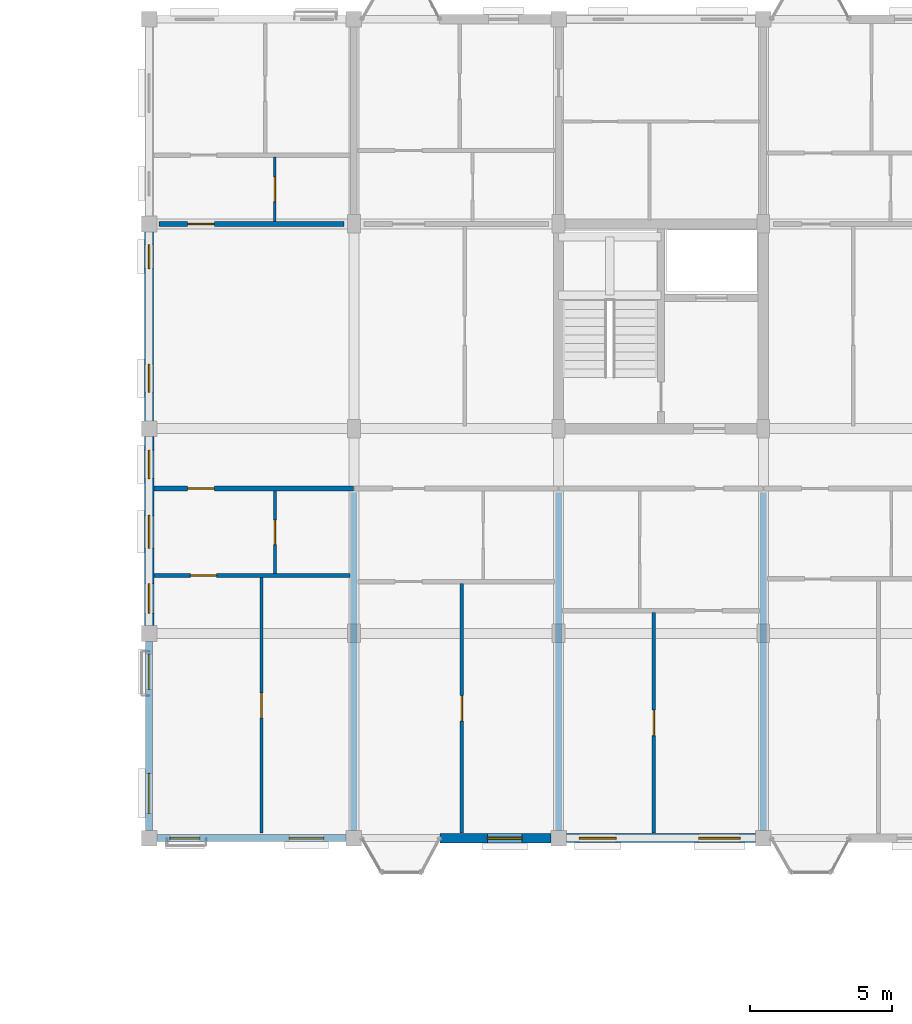
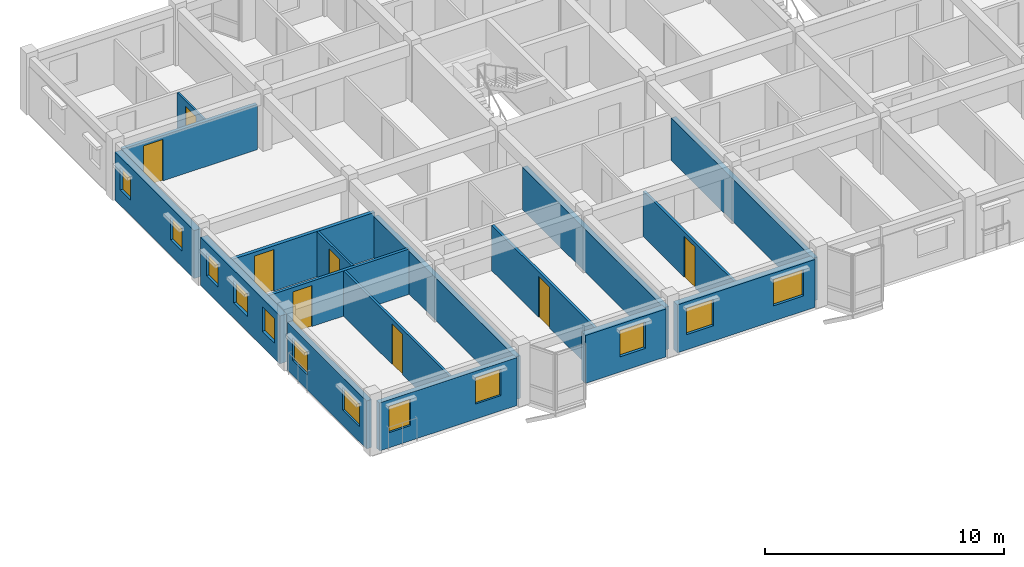
# One storey, part 60 of 75: 17 walls, 12 windows, 8 doors, 20 openings.
"""IFC4 building model written with IfcOpenShell, lengths in metres."""

from ifc_helpers import new_model, si_unit, direction, frame, frame_2d, origin, place, context, subcontext, project, spatial, rectangle, extrude, material, layer, layer_set, type_object, element, fill, save


model = new_model("IFC4")

# Units and contexts
model_context = context("Model", 3, precision=1e-05, world=origin(), true_north=direction((0.0, 1.0)))
body_context = subcontext(model_context, "Body", "Model", "MODEL_VIEW")
ifc_project = project(units=[si_unit("LENGTHUNIT", "METRE"), si_unit("AREAUNIT", "SQUARE_METRE"), si_unit("VOLUMEUNIT", "CUBIC_METRE"), si_unit("PLANEANGLEUNIT", "RADIAN"), si_unit("MASSUNIT", "GRAM", prefix="KILO"), si_unit("THERMODYNAMICTEMPERATUREUNIT", "KELVIN"), si_unit("POWERUNIT", "WATT")], contexts=[model_context])

# Site, building, storey
site_placement = place(None, origin())
site = spatial("IfcSite", under=ifc_project, at=site_placement, CompositionType="ELEMENT")
building_placement = place(site_placement, origin())
building = spatial("IfcBuilding", under=site, at=building_placement, Name="Tavuni Mirador Residences", CompositionType="ELEMENT")
storey_placement = place(building_placement, frame((0.0, 0.0, 20.25)))
storey = spatial("IfcBuildingStorey", under=building, at=storey_placement, Name="L06", CompositionType="ELEMENT", Elevation=20.25)

# Wall, opening, door
ifc_material_1 = material(Name="Precast concrete C40/50", Category="concrete")
ifc_layer_1 = layer(ifc_material_1, 0.1650390625, Name="Precast concrete C40/50", Category="concrete")
ifc_layer_set_1 = layer_set([ifc_layer_1], Name="Precast concrete C40/50")
wall_type_1 = type_object("IfcWallType", Name="WT-CORR165", PredefinedType="PARTITIONING", material=ifc_layer_set_1)
wall_1_placement = place(storey_placement, frame((10.97509765625, 156.300048828125, 0.0), z_axis=(0.0, 0.0, 1.0), x_axis=(1.0, 0.0, 0.0)))
wall_1 = element("IfcWall", 1, at=wall_1_placement, inside=storey, type_object=wall_type_1, Name="CORW-BLK-C-L06-0-00", PredefinedType="PARTITIONING", context=body_context, shape_type="SweptSolid", body=[
    extrude(rectangle(XDim=7.0048828125, YDim=0.1650390625, at=frame_2d((3.50244140625, 0.0))), origin(), (0.0, 0.0, 1.0), 2.320068359375),
])
opening_1_placement = place(wall_1_placement, frame((1.175048828125, 0.0, 0.0)))
opening_1 = element("IfcOpeningElement", 2, at=opening_1_placement, cuts=wall_1, Name="Opening D-19", PredefinedType="OPENING", context=body_context, shape_type="SweptSolid", body=[
    extrude(rectangle(XDim=0.93994140625, YDim=2.1201171875, at=frame_2d((0.469970703125, 1.06005859375))), frame((0.0, 0.092529296875, 0.0), z_axis=(0.0, -1.0, 0.0), x_axis=(1.0, 0.0, 0.0)), (0.0, 0.0, 1.0), 0.18505859375),
])
ifc_material_2 = material(Name="Solid core iroko timber", Category="wood")
door_type_1 = type_object("IfcDoorType", Name="DT-FD60-940", OperationType="NOTDEFINED", PredefinedType="DOOR", material=ifc_material_2)
door_1_placement = place(opening_1_placement, origin())
door_1 = element("IfcDoor", 3, at=door_1_placement, inside=storey, type_object=door_type_1, Name="DR-2707", OperationType="SINGLE_SWING_RIGHT", OverallHeight=2.1201171875, OverallWidth=0.93994140625, PredefinedType="DOOR", context=body_context, shape_type="SweptSolid", body=[
    extrude(rectangle(XDim=0.93994140625, YDim=2.1201171875, at=frame_2d((0.469970703125, 1.06005859375))), frame((0.0, 0.02490234375, 0.0), z_axis=(0.0, -1.0, 0.0), x_axis=(1.0, 0.0, 0.0)), (0.0, 0.0, 1.0), 0.050048828125),
])
fill(opening_1, door_1)

wall_2_placement = place(storey_placement, frame((11.14990234375, 165.60009765625, 0.0), z_axis=(0.0, 0.0, 1.0), x_axis=(1.0, 0.0, 0.0)))
wall_2 = element("IfcWall", 4, at=wall_2_placement, inside=storey, type_object=wall_type_1, Name="CORW-BLK-C-L06-1-00", PredefinedType="PARTITIONING", context=body_context, shape_type="SweptSolid", body=[
    extrude(rectangle(XDim=6.5, YDim=0.1650390625, at=frame_2d((3.25, 0.0))), origin(), (0.0, 0.0, 1.0), 2.320068359375),
])
opening_2_placement = place(wall_2_placement, frame((1.0, 0.0, 0.0)))
opening_2 = element("IfcOpeningElement", 5, at=opening_2_placement, cuts=wall_2, Name="Opening D-19", PredefinedType="OPENING", context=body_context, shape_type="SweptSolid", body=[
    extrude(rectangle(XDim=0.93994140625, YDim=2.1201171875, at=frame_2d((0.469970703125, 1.06005859375))), frame((0.0, 0.092529296875, 0.0), z_axis=(0.0, -1.0, 0.0), x_axis=(1.0, 0.0, 0.0)), (0.0, 0.0, 1.0), 0.18505859375),
])
door_2_placement = place(opening_2_placement, origin())
door_2 = element("IfcDoor", 6, at=door_2_placement, inside=storey, type_object=door_type_1, Name="DR-2716", OperationType="SINGLE_SWING_LEFT", OverallHeight=2.1201171875, OverallWidth=0.93994140625, PredefinedType="DOOR", context=body_context, shape_type="SweptSolid", body=[
    extrude(rectangle(XDim=0.93994140625, YDim=2.1201171875, at=frame_2d((0.469970703125, 1.06005859375))), frame((0.0, 0.02490234375, 0.0), z_axis=(0.0, -1.0, 0.0), x_axis=(1.0, 0.0, 0.0)), (0.0, 0.0, 1.0), 0.050048828125),
])
fill(opening_2, door_2)

# Wall, opening, window
ifc_layer_2 = layer(ifc_material_1, 0.330078125, Name="Precast concrete C40/50", Category="concrete")
ifc_layer_set_2 = layer_set([ifc_layer_2], Name="Precast concrete C40/50")
wall_type_2 = type_object("IfcWallType", Name="WT-EXT-COR330", PredefinedType="SOLIDWALL", material=ifc_layer_set_2)
wall_3_placement = place(storey_placement, frame((21.02001953125, 144.0, 0.0), z_axis=(0.0, 0.0, 1.0), x_axis=(1.0, 0.0, 0.0)))
wall_3 = element("IfcWall", 7, at=wall_3_placement, inside=storey, type_object=wall_type_2, Name="EW-BLK-C-L06-S01", PredefinedType="SOLIDWALL", context=body_context, shape_type="SweptSolid", body=[
    extrude(rectangle(XDim=3.905029296875, YDim=0.330078125, at=frame_2d((1.95263671875, 0.0))), origin(), (0.0, 0.0, 1.0), 2.455078125),
])
opening_3_placement = place(wall_3_placement, frame((1.677490234375, 0.0, 0.780029296875)))
opening_3 = element("IfcOpeningElement", 8, at=opening_3_placement, cuts=wall_3, Name="Opening WN-21", PredefinedType="OPENING", context=body_context, shape_type="SweptSolid", body=[
    extrude(rectangle(XDim=1.219970703125, YDim=1.360107421875, at=frame_2d((0.60986328125, 0.68017578125))), frame((0.0, 0.175048828125, 0.0), z_axis=(0.0, -1.0, 0.0), x_axis=(1.0, 0.0, 0.0)), (0.0, 0.0, 1.0), 0.35009765625),
])
ifc_material_3 = material(Name="Laminated solar-control glass", Category="glass")
window_type_1 = type_object("IfcWindowType", Name="WNT-21", PartitioningType="SINGLE_PANEL", PredefinedType="WINDOW", material=ifc_material_3)
window_1_placement = place(opening_3_placement, origin())
window_1 = element("IfcWindow", 9, at=window_1_placement, inside=storey, type_object=window_type_1, Name="WIN-1094", OverallHeight=1.360107421875, OverallWidth=1.219970703125, PartitioningType="SINGLE_PANEL", PredefinedType="WINDOW", context=body_context, shape_type="SweptSolid", body=[
    extrude(rectangle(XDim=1.219970703125, YDim=1.360107421875, at=frame_2d((0.60986328125, 0.68017578125))), frame((0.0, 0.030029296875, 0.0), z_axis=(0.0, -1.0, 0.0), x_axis=(1.0, 0.0, 0.0)), (0.0, 0.0, 1.0), 0.06005859375),
])
fill(opening_3, window_1)

# Wall, openings, windows
wall_4_placement = place(storey_placement, frame((10.800048828125, 158.125, 0.0), z_axis=(0.0, 0.0, 1.0), x_axis=(0.0, -1.0, 0.0)))
wall_4 = element("IfcWall", 10, at=wall_4_placement, inside=storey, type_object=wall_type_2, Name="EW-BLK-C-L06-W01", PredefinedType="SOLIDWALL", context=body_context, shape_type="SweptSolid", body=[
    extrude(rectangle(XDim=6.64990234375, YDim=0.330078125, at=frame_2d((3.324951171875, 0.0))), origin(), (0.0, 0.0, 1.0), 2.455078125),
])
opening_4_placement = place(wall_4_placement, frame((0.482421875, 0.0, 0.780029296875)))
opening_4 = element("IfcOpeningElement", 11, at=opening_4_placement, cuts=wall_4, Name="Opening WN-03", PredefinedType="OPENING", context=body_context, shape_type="SweptSolid", body=[
    extrude(rectangle(XDim=1.0, YDim=1.14990234375, at=frame_2d((0.5, 0.574951171875))), frame((0.0, 0.175048828125, 0.0), z_axis=(0.0, -1.0, 0.0), x_axis=(1.0, 0.0, 0.0)), (0.0, 0.0, 1.0), 0.35009765625),
])
opening_5_placement = place(wall_4_placement, frame((2.77490234375, 0.0, 0.780029296875)))
opening_5 = element("IfcOpeningElement", 12, at=opening_5_placement, cuts=wall_4, Name="Opening WN-05", PredefinedType="OPENING", context=body_context, shape_type="SweptSolid", body=[
    extrude(rectangle(XDim=1.159912109375, YDim=1.14990234375, at=frame_2d((0.580078125, 0.574951171875))), frame((0.0, 0.175048828125, 0.0), z_axis=(0.0, -1.0, 0.0), x_axis=(1.0, 0.0, 0.0)), (0.0, 0.0, 1.0), 0.35009765625),
])
opening_6_placement = place(wall_4_placement, frame((5.177490234375, 0.0, 0.780029296875)))
opening_6 = element("IfcOpeningElement", 13, at=opening_6_placement, cuts=wall_4, Name="Opening WN-11", PredefinedType="OPENING", context=body_context, shape_type="SweptSolid", body=[
    extrude(rectangle(XDim=1.0400390625, YDim=1.260009765625, at=frame_2d((0.52001953125, 0.6298828125))), frame((0.0, 0.175048828125, 0.0), z_axis=(0.0, -1.0, 0.0), x_axis=(1.0, 0.0, 0.0)), (0.0, 0.0, 1.0), 0.35009765625),
])
window_type_2 = type_object("IfcWindowType", Name="WNT-03", PartitioningType="SINGLE_PANEL", PredefinedType="WINDOW", material=ifc_material_3)
window_2_placement = place(opening_4_placement, origin())
window_2 = element("IfcWindow", 14, at=window_2_placement, inside=storey, type_object=window_type_2, Name="WIN-1136", OverallHeight=1.14990234375, OverallWidth=1.0, PartitioningType="SINGLE_PANEL", PredefinedType="WINDOW", context=body_context, shape_type="SweptSolid", body=[
    extrude(rectangle(XDim=1.0, YDim=1.14990234375, at=frame_2d((0.5, 0.574951171875))), frame((0.0, 0.030029296875, 0.0), z_axis=(0.0, -1.0, 0.0), x_axis=(1.0, 0.0, 0.0)), (0.0, 0.0, 1.0), 0.06005859375),
])
fill(opening_4, window_2)
window_type_3 = type_object("IfcWindowType", Name="WNT-05", PartitioningType="SINGLE_PANEL", PredefinedType="WINDOW", material=ifc_material_3)
window_3_placement = place(opening_5_placement, origin())
window_3 = element("IfcWindow", 15, at=window_3_placement, inside=storey, type_object=window_type_3, Name="WIN-1137", OverallHeight=1.14990234375, OverallWidth=1.159912109375, PartitioningType="SINGLE_PANEL", PredefinedType="WINDOW", context=body_context, shape_type="SweptSolid", body=[
    extrude(rectangle(XDim=1.159912109375, YDim=1.14990234375, at=frame_2d((0.580078125, 0.574951171875))), frame((0.0, 0.030029296875, 0.0), z_axis=(0.0, -1.0, 0.0), x_axis=(1.0, 0.0, 0.0)), (0.0, 0.0, 1.0), 0.06005859375),
])
fill(opening_5, window_3)
window_type_4 = type_object("IfcWindowType", Name="WNT-11", PartitioningType="SINGLE_PANEL", PredefinedType="WINDOW", material=ifc_material_3)
window_4_placement = place(opening_6_placement, origin())
window_4 = element("IfcWindow", 16, at=window_4_placement, inside=storey, type_object=window_type_4, Name="WIN-1138", OverallHeight=1.260009765625, OverallWidth=1.0400390625, PartitioningType="SINGLE_PANEL", PredefinedType="WINDOW", context=body_context, shape_type="SweptSolid", body=[
    extrude(rectangle(XDim=1.0400390625, YDim=1.260009765625, at=frame_2d((0.52001953125, 0.6298828125))), frame((0.0, 0.030029296875, 0.0), z_axis=(0.0, -1.0, 0.0), x_axis=(1.0, 0.0, 0.0)), (0.0, 0.0, 1.0), 0.06005859375),
])
fill(opening_6, window_4)

ifc_material_4 = material(Name="Sgraffito lime-rendered precast concrete C40/50", Category="concrete")
ifc_layer_3 = layer(ifc_material_4, 0.2451171875, Name="Sgraffito lime-rendered precast concrete C40/50", Category="concrete")
ifc_layer_set_3 = layer_set([ifc_layer_3], Name="Sgraffito lime-rendered precast concrete C40/50")
wall_type_3 = type_object("IfcWallType", Name="WT-EXT-PC245", PredefinedType="SOLIDWALL", material=ifc_layer_set_3)
wall_5_placement = place(storey_placement, frame((11.074951171875, 144.0, 0.0), z_axis=(0.0, 0.0, 1.0), x_axis=(1.0, 0.0, 0.0)))
wall_5 = element("IfcWall", 17, at=wall_5_placement, inside=storey, type_object=wall_type_3, Name="EW-BLK-C-L06-S00", PredefinedType="SOLIDWALL", context=body_context, shape_type="SweptSolid", body=[
    extrude(rectangle(XDim=6.650146484375, YDim=0.2451171875, at=frame_2d((3.3251953125, 0.0))), origin(), (0.0, 0.0, 1.0), 2.455078125),
])
opening_7_placement = place(wall_5_placement, frame((0.449951171875, 0.0, 0.780029296875)))
opening_7 = element("IfcOpeningElement", 18, at=opening_7_placement, cuts=wall_5, Name="Opening WN-19", PredefinedType="OPENING", context=body_context, shape_type="SweptSolid", body=[
    extrude(rectangle(XDim=1.06005859375, YDim=1.360107421875, at=frame_2d((0.530029296875, 0.68017578125))), frame((0.0, 0.132568359375, 0.0), z_axis=(0.0, -1.0, 0.0), x_axis=(1.0, 0.0, 0.0)), (0.0, 0.0, 1.0), 0.26513671875),
])
opening_8_placement = place(wall_5_placement, frame((4.64990234375, 0.0, 0.780029296875)))
opening_8 = element("IfcOpeningElement", 19, at=opening_8_placement, cuts=wall_5, Name="Opening WN-21", PredefinedType="OPENING", context=body_context, shape_type="SweptSolid", body=[
    extrude(rectangle(XDim=1.219970703125, YDim=1.360107421875, at=frame_2d((0.60986328125, 0.68017578125))), frame((0.0, 0.132568359375, 0.0), z_axis=(0.0, -1.0, 0.0), x_axis=(1.0, 0.0, 0.0)), (0.0, 0.0, 1.0), 0.26513671875),
])
window_type_5 = type_object("IfcWindowType", Name="WNT-19", PartitioningType="SINGLE_PANEL", PredefinedType="WINDOW", material=ifc_material_3)
window_5_placement = place(opening_7_placement, origin())
window_5 = element("IfcWindow", 20, at=window_5_placement, inside=storey, type_object=window_type_5, Name="WIN-1092", OverallHeight=1.360107421875, OverallWidth=1.06005859375, PartitioningType="SINGLE_PANEL", PredefinedType="WINDOW", context=body_context, shape_type="SweptSolid", body=[
    extrude(rectangle(XDim=1.06005859375, YDim=1.360107421875, at=frame_2d((0.530029296875, 0.68017578125))), frame((0.0, 0.030029296875, 0.0), z_axis=(0.0, -1.0, 0.0), x_axis=(1.0, 0.0, 0.0)), (0.0, 0.0, 1.0), 0.06005859375),
])
fill(opening_7, window_5)
window_6_placement = place(opening_8_placement, origin())
window_6 = element("IfcWindow", 21, at=window_6_placement, inside=storey, type_object=window_type_1, Name="WIN-1093", OverallHeight=1.360107421875, OverallWidth=1.219970703125, PartitioningType="SINGLE_PANEL", PredefinedType="WINDOW", context=body_context, shape_type="SweptSolid", body=[
    extrude(rectangle(XDim=1.219970703125, YDim=1.360107421875, at=frame_2d((0.60986328125, 0.68017578125))), frame((0.0, 0.030029296875, 0.0), z_axis=(0.0, -1.0, 0.0), x_axis=(1.0, 0.0, 0.0)), (0.0, 0.0, 1.0), 0.06005859375),
])
fill(opening_8, window_6)

wall_6_placement = place(storey_placement, frame((10.800048828125, 150.925048828125, 0.0), z_axis=(0.0, 0.0, 1.0), x_axis=(0.0, -1.0, 0.0)))
wall_6 = element("IfcWall", 22, at=wall_6_placement, inside=storey, type_object=wall_type_3, Name="EW-BLK-C-L06-W00", PredefinedType="SOLIDWALL", context=body_context, shape_type="SweptSolid", body=[
    extrude(rectangle(XDim=6.650146484375, YDim=0.2451171875, at=frame_2d((3.3251953125, 0.0))), origin(), (0.0, 0.0, 1.0), 2.455078125),
])
opening_9_placement = place(wall_6_placement, frame((0.449951171875, 0.0, 0.780029296875)))
opening_9 = element("IfcOpeningElement", 23, at=opening_9_placement, cuts=wall_6, Name="Opening WN-06", PredefinedType="OPENING", context=body_context, shape_type="SweptSolid", body=[
    extrude(rectangle(XDim=1.239990234375, YDim=1.14990234375, at=frame_2d((0.6201171875, 0.574951171875))), frame((0.0, 0.132568359375, 0.0), z_axis=(0.0, -1.0, 0.0), x_axis=(1.0, 0.0, 0.0)), (0.0, 0.0, 1.0), 0.26513671875),
])
opening_10_placement = place(wall_6_placement, frame((4.64990234375, 0.0, 0.780029296875)))
opening_10 = element("IfcOpeningElement", 24, at=opening_10_placement, cuts=wall_6, Name="Opening WN-08", PredefinedType="OPENING", context=body_context, shape_type="SweptSolid", body=[
    extrude(rectangle(XDim=1.39990234375, YDim=1.14990234375, at=frame_2d((0.699951171875, 0.574951171875))), frame((0.0, 0.132568359375, 0.0), z_axis=(0.0, -1.0, 0.0), x_axis=(1.0, 0.0, 0.0)), (0.0, 0.0, 1.0), 0.26513671875),
])
window_type_6 = type_object("IfcWindowType", Name="WNT-06", PartitioningType="SINGLE_PANEL", PredefinedType="WINDOW", material=ifc_material_3)
window_7_placement = place(opening_9_placement, origin())
window_7 = element("IfcWindow", 25, at=window_7_placement, inside=storey, type_object=window_type_6, Name="WIN-1139", OverallHeight=1.14990234375, OverallWidth=1.239990234375, PartitioningType="SINGLE_PANEL", PredefinedType="WINDOW", context=body_context, shape_type="SweptSolid", body=[
    extrude(rectangle(XDim=1.239990234375, YDim=1.14990234375, at=frame_2d((0.6201171875, 0.574951171875))), frame((0.0, 0.030029296875, 0.0), z_axis=(0.0, -1.0, 0.0), x_axis=(1.0, 0.0, 0.0)), (0.0, 0.0, 1.0), 0.06005859375),
])
fill(opening_9, window_7)
window_type_7 = type_object("IfcWindowType", Name="WNT-08", PartitioningType="SINGLE_PANEL", PredefinedType="WINDOW", material=ifc_material_3)
window_8_placement = place(opening_10_placement, origin())
window_8 = element("IfcWindow", 26, at=window_8_placement, inside=storey, type_object=window_type_7, Name="WIN-1140", OverallHeight=1.14990234375, OverallWidth=1.39990234375, PartitioningType="SINGLE_PANEL", PredefinedType="WINDOW", context=body_context, shape_type="SweptSolid", body=[
    extrude(rectangle(XDim=1.39990234375, YDim=1.14990234375, at=frame_2d((0.699951171875, 0.574951171875))), frame((0.0, 0.030029296875, 0.0), z_axis=(0.0, -1.0, 0.0), x_axis=(1.0, 0.0, 0.0)), (0.0, 0.0, 1.0), 0.06005859375),
])
fill(opening_10, window_8)

ifc_layer_4 = layer(ifc_material_4, 0.31494140625, Name="Sgraffito lime-rendered precast concrete C40/50", Category="concrete")
ifc_layer_set_4 = layer_set([ifc_layer_4], Name="Sgraffito lime-rendered precast concrete C40/50")
wall_type_4 = type_object("IfcWallType", Name="WT-EXT-PC315", PredefinedType="SOLIDWALL", material=ifc_layer_set_4)
wall_7_placement = place(storey_placement, frame((25.47509765625, 144.0, 0.0), z_axis=(0.0, 0.0, 1.0), x_axis=(1.0, 0.0, 0.0)))
wall_7 = element("IfcWall", 27, at=wall_7_placement, inside=storey, type_object=wall_type_4, Name="EW-BLK-C-L06-S02", PredefinedType="SOLIDWALL", context=body_context, shape_type="SweptSolid", body=[
    extrude(rectangle(XDim=6.64990234375, YDim=0.31494140625, at=frame_2d((3.324951171875, 0.0))), origin(), (0.0, 0.0, 1.0), 2.455078125),
])
opening_11_placement = place(wall_7_placement, frame((0.449951171875, 0.0, 0.780029296875)))
opening_11 = element("IfcOpeningElement", 28, at=opening_11_placement, cuts=wall_7, Name="Opening WN-22", PredefinedType="OPENING", context=body_context, shape_type="SweptSolid", body=[
    extrude(rectangle(XDim=1.300048828125, YDim=1.360107421875, at=frame_2d((0.64990234375, 0.68017578125))), frame((0.0, 0.16748046875, 0.0), z_axis=(0.0, -1.0, 0.0), x_axis=(1.0, 0.0, 0.0)), (0.0, 0.0, 1.0), 0.3349609375),
])
opening_12_placement = place(wall_7_placement, frame((4.64990234375, 0.0, 0.780029296875)))
opening_12 = element("IfcOpeningElement", 29, at=opening_12_placement, cuts=wall_7, Name="Opening WN-24", PredefinedType="OPENING", context=body_context, shape_type="SweptSolid", body=[
    extrude(rectangle(XDim=1.4599609375, YDim=1.360107421875, at=frame_2d((0.72998046875, 0.68017578125))), frame((0.0, 0.16748046875, 0.0), z_axis=(0.0, -1.0, 0.0), x_axis=(1.0, 0.0, 0.0)), (0.0, 0.0, 1.0), 0.3349609375),
])
window_type_8 = type_object("IfcWindowType", Name="WNT-22", PartitioningType="SINGLE_PANEL", PredefinedType="WINDOW", material=ifc_material_3)
window_9_placement = place(opening_11_placement, origin())
window_9 = element("IfcWindow", 30, at=window_9_placement, inside=storey, type_object=window_type_8, Name="WIN-1095", OverallHeight=1.360107421875, OverallWidth=1.300048828125, PartitioningType="SINGLE_PANEL", PredefinedType="WINDOW", context=body_context, shape_type="SweptSolid", body=[
    extrude(rectangle(XDim=1.300048828125, YDim=1.360107421875, at=frame_2d((0.64990234375, 0.68017578125))), frame((0.0, 0.030029296875, 0.0), z_axis=(0.0, -1.0, 0.0), x_axis=(1.0, 0.0, 0.0)), (0.0, 0.0, 1.0), 0.06005859375),
])
fill(opening_11, window_9)
window_type_9 = type_object("IfcWindowType", Name="WNT-24", PartitioningType="SINGLE_PANEL", PredefinedType="WINDOW", material=ifc_material_3)
window_10_placement = place(opening_12_placement, origin())
window_10 = element("IfcWindow", 31, at=window_10_placement, inside=storey, type_object=window_type_9, Name="WIN-1096", OverallHeight=1.360107421875, OverallWidth=1.4599609375, PartitioningType="SINGLE_PANEL", PredefinedType="WINDOW", context=body_context, shape_type="SweptSolid", body=[
    extrude(rectangle(XDim=1.4599609375, YDim=1.360107421875, at=frame_2d((0.72998046875, 0.68017578125))), frame((0.0, 0.030029296875, 0.0), z_axis=(0.0, -1.0, 0.0), x_axis=(1.0, 0.0, 0.0)), (0.0, 0.0, 1.0), 0.06005859375),
])
fill(opening_12, window_10)

wall_8_placement = place(storey_placement, frame((10.800048828125, 165.324951171875, 0.0), z_axis=(0.0, 0.0, 1.0), x_axis=(0.0, -1.0, 0.0)))
wall_8 = element("IfcWall", 32, at=wall_8_placement, inside=storey, type_object=wall_type_4, Name="EW-BLK-C-L06-W02", PredefinedType="SOLIDWALL", context=body_context, shape_type="SweptSolid", body=[
    extrude(rectangle(XDim=6.64990234375, YDim=0.31494140625, at=frame_2d((3.324951171875, 0.0))), origin(), (0.0, 0.0, 1.0), 2.455078125),
])
opening_13_placement = place(wall_8_placement, frame((0.449951171875, 0.0, 0.780029296875)))
opening_13 = element("IfcOpeningElement", 33, at=opening_13_placement, cuts=wall_8, Name="Opening WN-01", PredefinedType="OPENING", context=body_context, shape_type="SweptSolid", body=[
    extrude(rectangle(XDim=0.85009765625, YDim=1.14990234375, at=frame_2d((0.425048828125, 0.574951171875))), frame((0.0, 0.16748046875, 0.0), z_axis=(0.0, -1.0, 0.0), x_axis=(1.0, 0.0, 0.0)), (0.0, 0.0, 1.0), 0.3349609375),
])
opening_14_placement = place(wall_8_placement, frame((4.64990234375, 0.0, 0.780029296875)))
opening_14 = element("IfcOpeningElement", 34, at=opening_14_placement, cuts=wall_8, Name="Opening WN-03", PredefinedType="OPENING", context=body_context, shape_type="SweptSolid", body=[
    extrude(rectangle(XDim=1.0, YDim=1.14990234375, at=frame_2d((0.5, 0.574951171875))), frame((0.0, 0.16748046875, 0.0), z_axis=(0.0, -1.0, 0.0), x_axis=(1.0, 0.0, 0.0)), (0.0, 0.0, 1.0), 0.3349609375),
])
window_type_10 = type_object("IfcWindowType", Name="WNT-01", PartitioningType="SINGLE_PANEL", PredefinedType="WINDOW", material=ifc_material_3)
window_11_placement = place(opening_13_placement, origin())
window_11 = element("IfcWindow", 35, at=window_11_placement, inside=storey, type_object=window_type_10, Name="WIN-1134", OverallHeight=1.14990234375, OverallWidth=0.85009765625, PartitioningType="SINGLE_PANEL", PredefinedType="WINDOW", context=body_context, shape_type="SweptSolid", body=[
    extrude(rectangle(XDim=0.85009765625, YDim=1.14990234375, at=frame_2d((0.425048828125, 0.574951171875))), frame((0.0, 0.030029296875, 0.0), z_axis=(0.0, -1.0, 0.0), x_axis=(1.0, 0.0, 0.0)), (0.0, 0.0, 1.0), 0.06005859375),
])
fill(opening_13, window_11)
window_12_placement = place(opening_14_placement, origin())
window_12 = element("IfcWindow", 36, at=window_12_placement, inside=storey, type_object=window_type_2, Name="WIN-1135", OverallHeight=1.14990234375, OverallWidth=1.0, PartitioningType="SINGLE_PANEL", PredefinedType="WINDOW", context=body_context, shape_type="SweptSolid", body=[
    extrude(rectangle(XDim=1.0, YDim=1.14990234375, at=frame_2d((0.5, 0.574951171875))), frame((0.0, 0.030029296875, 0.0), z_axis=(0.0, -1.0, 0.0), x_axis=(1.0, 0.0, 0.0)), (0.0, 0.0, 1.0), 0.06005859375),
])
fill(opening_14, window_12)

# Wall, opening, door
ifc_material_5 = material(Name="Acoustic gypsum and concrete block partition", Category="concrete")
ifc_layer_5 = layer(ifc_material_5, 0.094970703125, Name="Acoustic gypsum and concrete block partition", Category="concrete")
ifc_layer_set_5 = layer_set([ifc_layer_5], Name="Acoustic gypsum and concrete block partition")
wall_type_5 = type_object("IfcWallType", Name="WT-PART095", PredefinedType="PARTITIONING", material=ifc_layer_set_5)
wall_9_placement = place(storey_placement, frame((15.219970703125, 165.68994140625, 0.0), z_axis=(0.0, 0.0, 1.0), x_axis=(0.0, 1.0, 0.0)))
wall_9 = element("IfcWall", 37, at=wall_9_placement, inside=storey, type_object=wall_type_5, Name="PW-BLK-C-L06-N00-IN1", PredefinedType="PARTITIONING", context=body_context, shape_type="SweptSolid", body=[
    extrude(rectangle(XDim=2.260009765625, YDim=0.094970703125, at=frame_2d((1.1298828125, 0.0))), origin(), (0.0, 0.0, 1.0), 2.320068359375),
])
opening_15_placement = place(wall_9_placement, frame((0.695068359375, 0.0, 0.0)))
opening_15 = element("IfcOpeningElement", 38, at=opening_15_placement, cuts=wall_9, Name="Opening D-10", PredefinedType="OPENING", context=body_context, shape_type="SweptSolid", body=[
    extrude(rectangle(XDim=0.8701171875, YDim=2.050048828125, at=frame_2d((0.43505859375, 1.02490234375))), frame((0.0, 0.0576171875, 0.0), z_axis=(0.0, -1.0, 0.0), x_axis=(1.0, 0.0, 0.0)), (0.0, 0.0, 1.0), 0.114990234375),
])
door_type_2 = type_object("IfcDoorType", Name="DT-WC870", OperationType="NOTDEFINED", PredefinedType="DOOR", material=ifc_material_2)
door_3_placement = place(opening_15_placement, origin())
door_3 = element("IfcDoor", 39, at=door_3_placement, inside=storey, type_object=door_type_2, Name="DR-3965", OperationType="SINGLE_SWING_RIGHT", OverallHeight=2.050048828125, OverallWidth=0.8701171875, PredefinedType="DOOR", context=body_context, shape_type="SweptSolid", body=[
    extrude(rectangle(XDim=0.8701171875, YDim=2.050048828125, at=frame_2d((0.43505859375, 1.02490234375))), frame((0.0, 0.02490234375, 0.0), z_axis=(0.0, -1.0, 0.0), x_axis=(1.0, 0.0, 0.0)), (0.0, 0.0, 1.0), 0.050048828125),
])
fill(opening_15, door_3)

ifc_layer_6 = layer(ifc_material_5, 0.10498046875, Name="Acoustic gypsum and concrete block partition", Category="concrete")
ifc_layer_set_6 = layer_set([ifc_layer_6], Name="Acoustic gypsum and concrete block partition")
wall_type_6 = type_object("IfcWallType", Name="WT-PART105", PredefinedType="PARTITIONING", material=ifc_layer_set_6)
wall_10_placement = place(storey_placement, frame((15.219970703125, 153.31005859375, 0.0), z_axis=(0.0, 0.0, 1.0), x_axis=(0.0, 1.0, 0.0)))
wall_10 = element("IfcWall", 40, at=wall_10_placement, inside=storey, type_object=wall_type_6, Name="PW-BLK-C-L06-S00-IN1", PredefinedType="PARTITIONING", context=body_context, shape_type="SweptSolid", body=[
    extrude(rectangle(XDim=2.89990234375, YDim=0.10498046875, at=frame_2d((1.449951171875, 0.0))), origin(), (0.0, 0.0, 1.0), 2.320068359375),
])
opening_16_placement = place(wall_10_placement, frame((1.014892578125, 0.0, 0.0)))
opening_16 = element("IfcOpeningElement", 41, at=opening_16_placement, cuts=wall_10, Name="Opening D-10", PredefinedType="OPENING", context=body_context, shape_type="SweptSolid", body=[
    extrude(rectangle(XDim=0.8701171875, YDim=2.050048828125, at=frame_2d((0.43505859375, 1.02490234375))), frame((0.0, 0.0625, 0.0), z_axis=(0.0, -1.0, 0.0), x_axis=(1.0, 0.0, 0.0)), (0.0, 0.0, 1.0), 0.125),
])
door_4_placement = place(opening_16_placement, origin())
door_4 = element("IfcDoor", 42, at=door_4_placement, inside=storey, type_object=door_type_2, Name="DR-3962", OperationType="SINGLE_SWING_RIGHT", OverallHeight=2.050048828125, OverallWidth=0.8701171875, PredefinedType="DOOR", context=body_context, shape_type="SweptSolid", body=[
    extrude(rectangle(XDim=0.8701171875, YDim=2.050048828125, at=frame_2d((0.43505859375, 1.02490234375))), frame((0.0, 0.02490234375, 0.0), z_axis=(0.0, -1.0, 0.0), x_axis=(1.0, 0.0, 0.0)), (0.0, 0.0, 1.0), 0.050048828125),
])
fill(opening_16, door_4)

ifc_layer_7 = layer(ifc_material_5, 0.114990234375, Name="Acoustic gypsum and concrete block partition", Category="concrete")
ifc_layer_set_7 = layer_set([ifc_layer_7], Name="Acoustic gypsum and concrete block partition")
wall_type_7 = type_object("IfcWallType", Name="WT-PART115", PredefinedType="PARTITIONING", material=ifc_layer_set_7)
wall_11_placement = place(storey_placement, frame((14.75, 144.175048828125, 0.0), z_axis=(0.0, 0.0, 1.0), x_axis=(0.0, 1.0, 0.0)))
wall_11 = element("IfcWall", 43, at=wall_11_placement, inside=storey, type_object=wall_type_7, Name="PW-BLK-C-L06-S00-OUT", PredefinedType="PARTITIONING", context=body_context, shape_type="SweptSolid", body=[
    extrude(rectangle(XDim=8.994873046875, YDim=0.114990234375, at=frame_2d((4.49755859375, 0.0))), origin(), (0.0, 0.0, 1.0), 2.320068359375),
])
opening_17_placement = place(wall_11_placement, frame((4.0576171875, 0.0, 0.0)))
opening_17 = element("IfcOpeningElement", 44, at=opening_17_placement, cuts=wall_11, Name="Opening D-08", PredefinedType="OPENING", context=body_context, shape_type="SweptSolid", body=[
    extrude(rectangle(XDim=0.8798828125, YDim=2.080078125, at=frame_2d((0.43994140625, 1.0400390625))), frame((0.0, 0.0673828125, 0.0), z_axis=(0.0, -1.0, 0.0), x_axis=(1.0, 0.0, 0.0)), (0.0, 0.0, 1.0), 0.135009765625),
])
door_type_3 = type_object("IfcDoorType", Name="DT-BED880", OperationType="NOTDEFINED", PredefinedType="DOOR", material=ifc_material_2)
door_5_placement = place(opening_17_placement, origin())
door_5 = element("IfcDoor", 45, at=door_5_placement, inside=storey, type_object=door_type_3, Name="DR-3961", OperationType="SINGLE_SWING_LEFT", OverallHeight=2.080078125, OverallWidth=0.8798828125, PredefinedType="DOOR", context=body_context, shape_type="SweptSolid", body=[
    extrude(rectangle(XDim=0.8798828125, YDim=2.080078125, at=frame_2d((0.43994140625, 1.0400390625))), frame((0.0, 0.02490234375, 0.0), z_axis=(0.0, -1.0, 0.0), x_axis=(1.0, 0.0, 0.0)), (0.0, 0.0, 1.0), 0.050048828125),
])
fill(opening_17, door_5)

ifc_layer_8 = layer(ifc_material_5, 0.125, Name="Acoustic gypsum and concrete block partition", Category="concrete")
ifc_layer_set_8 = layer_set([ifc_layer_8], Name="Acoustic gypsum and concrete block partition")
wall_type_8 = type_object("IfcWallType", Name="WT-PART125", PredefinedType="PARTITIONING", material=ifc_layer_set_8)
wall_12_placement = place(storey_placement, frame((21.800048828125, 144.175048828125, 0.0), z_axis=(0.0, 0.0, 1.0), x_axis=(0.0, 1.0, 0.0)))
wall_12 = element("IfcWall", 46, at=wall_12_placement, inside=storey, type_object=wall_type_8, Name="PW-BLK-C-L06-S01-OUT", PredefinedType="PARTITIONING", context=body_context, shape_type="SweptSolid", body=[
    extrude(rectangle(XDim=8.77490234375, YDim=0.125, at=frame_2d((4.387451171875, 0.0))), origin(), (0.0, 0.0, 1.0), 2.320068359375),
])
opening_18_placement = place(wall_12_placement, frame((3.9375, 0.0, 0.0)))
opening_18 = element("IfcOpeningElement", 47, at=opening_18_placement, cuts=wall_12, Name="Opening D-07", PredefinedType="OPENING", context=body_context, shape_type="SweptSolid", body=[
    extrude(rectangle(XDim=0.89990234375, YDim=2.10009765625, at=frame_2d((0.449951171875, 1.050048828125))), frame((0.0, 0.072509765625, 0.0), z_axis=(0.0, -1.0, 0.0), x_axis=(1.0, 0.0, 0.0)), (0.0, 0.0, 1.0), 0.14501953125),
])
door_type_4 = type_object("IfcDoorType", Name="DT-BED900", OperationType="NOTDEFINED", PredefinedType="DOOR", material=ifc_material_2)
door_6_placement = place(opening_18_placement, origin())
door_6 = element("IfcDoor", 48, at=door_6_placement, inside=storey, type_object=door_type_4, Name="DR-3968", OperationType="SINGLE_SWING_RIGHT", OverallHeight=2.10009765625, OverallWidth=0.89990234375, PredefinedType="DOOR", context=body_context, shape_type="SweptSolid", body=[
    extrude(rectangle(XDim=0.89990234375, YDim=2.10009765625, at=frame_2d((0.449951171875, 1.050048828125))), frame((0.0, 0.02490234375, 0.0), z_axis=(0.0, -1.0, 0.0), x_axis=(1.0, 0.0, 0.0)), (0.0, 0.0, 1.0), 0.050048828125),
])
fill(opening_18, door_6)

wall_13_placement = place(storey_placement, frame((28.550048828125, 144.175048828125, 0.0), z_axis=(0.0, 0.0, 1.0), x_axis=(0.0, 1.0, 0.0)))
wall_13 = element("IfcWall", 49, at=wall_13_placement, inside=storey, type_object=wall_type_8, Name="PW-BLK-C-L06-S02-OUT", PredefinedType="PARTITIONING", context=body_context, shape_type="SweptSolid", body=[
    extrude(rectangle(XDim=7.7548828125, YDim=0.125, at=frame_2d((3.87744140625, 0.0))), origin(), (0.0, 0.0, 1.0), 2.320068359375),
])
opening_19_placement = place(wall_13_placement, frame((3.427490234375, 0.0, 0.0)))
opening_19 = element("IfcOpeningElement", 50, at=opening_19_placement, cuts=wall_13, Name="Opening D-07", PredefinedType="OPENING", context=body_context, shape_type="SweptSolid", body=[
    extrude(rectangle(XDim=0.89990234375, YDim=2.10009765625, at=frame_2d((0.449951171875, 1.050048828125))), frame((0.0, 0.072509765625, 0.0), z_axis=(0.0, -1.0, 0.0), x_axis=(1.0, 0.0, 0.0)), (0.0, 0.0, 1.0), 0.14501953125),
])
door_7_placement = place(opening_19_placement, origin())
door_7 = element("IfcDoor", 51, at=door_7_placement, inside=storey, type_object=door_type_4, Name="DR-3974", OperationType="SINGLE_SWING_RIGHT", OverallHeight=2.10009765625, OverallWidth=0.89990234375, PredefinedType="DOOR", context=body_context, shape_type="SweptSolid", body=[
    extrude(rectangle(XDim=0.89990234375, YDim=2.10009765625, at=frame_2d((0.449951171875, 1.050048828125))), frame((0.0, 0.02490234375, 0.0), z_axis=(0.0, -1.0, 0.0), x_axis=(1.0, 0.0, 0.0)), (0.0, 0.0, 1.0), 0.050048828125),
])
fill(opening_19, door_7)

ifc_layer_9 = layer(ifc_material_5, 0.139892578125, Name="Acoustic gypsum and concrete block partition", Category="concrete")
ifc_layer_set_9 = layer_set([ifc_layer_9], Name="Acoustic gypsum and concrete block partition")
wall_type_9 = type_object("IfcWallType", Name="WT-PART140", PredefinedType="PARTITIONING", material=ifc_layer_set_9)
wall_14_placement = place(storey_placement, frame((10.97509765625, 153.239990234375, 0.0), z_axis=(0.0, 0.0, 1.0), x_axis=(1.0, 0.0, 0.0)))
wall_14 = element("IfcWall", 52, at=wall_14_placement, inside=storey, type_object=wall_type_9, Name="PW-BLK-C-L06-S00-MID", PredefinedType="PARTITIONING", context=body_context, shape_type="SweptSolid", body=[
    extrude(rectangle(XDim=6.885009765625, YDim=0.139892578125, at=frame_2d((3.4423828125, 0.0))), origin(), (0.0, 0.0, 1.0), 2.320068359375),
])
opening_20_placement = place(wall_14_placement, frame((1.27490234375, 0.0, 0.0)))
opening_20 = element("IfcOpeningElement", 53, at=opening_20_placement, cuts=wall_14, Name="Opening D-06", PredefinedType="OPENING", context=body_context, shape_type="SweptSolid", body=[
    extrude(rectangle(XDim=0.919921875, YDim=2.10009765625, at=frame_2d((0.4599609375, 1.050048828125))), frame((0.0, 0.080078125, 0.0), z_axis=(0.0, -1.0, 0.0), x_axis=(1.0, 0.0, 0.0)), (0.0, 0.0, 1.0), 0.159912109375),
])
door_type_5 = type_object("IfcDoorType", Name="DT-INT920", OperationType="NOTDEFINED", PredefinedType="DOOR", material=ifc_material_2)
door_8_placement = place(opening_20_placement, origin())
door_8 = element("IfcDoor", 54, at=door_8_placement, inside=storey, type_object=door_type_5, Name="DR-3963", OperationType="SINGLE_SWING_RIGHT", OverallHeight=2.10009765625, OverallWidth=0.919921875, PredefinedType="DOOR", context=body_context, shape_type="SweptSolid", body=[
    extrude(rectangle(XDim=0.919921875, YDim=2.10009765625, at=frame_2d((0.4599609375, 1.050048828125))), frame((0.0, 0.02490234375, 0.0), z_axis=(0.0, -1.0, 0.0), x_axis=(1.0, 0.0, 0.0)), (0.0, 0.0, 1.0), 0.050048828125),
])
fill(opening_20, door_8)

# Walls
ifc_layer_10 = layer(ifc_material_1, 0.235107421875, Name="Precast concrete C40/50", Category="concrete")
ifc_layer_set_10 = layer_set([ifc_layer_10], Name="Precast concrete C40/50")
wall_type_10 = type_object("IfcWallType", Name="WT-XW235", PredefinedType="SOLIDWALL", material=ifc_layer_set_10)
for number, where, z_axis, x_axis, name in (
    (55, (18.0, 144.27490234375, 0.0), (0.0, 0.0, 1.0), (0.0, 1.0, 0.0), "XW-BLK-C-L06-S-01"),
    (56, (25.199951171875, 144.27490234375, 0.0), (0.0, 0.0, 1.0), (0.0, 1.0, 0.0), "XW-BLK-C-L06-S-02"),
    (57, (32.39990234375, 144.27490234375, 0.0), (0.0, 0.0, 1.0), (0.0, 1.0, 0.0), "XW-BLK-C-L06-S-03"),
):
    element("IfcWall", number, at=place(storey_placement, frame(where, z_axis=z_axis, x_axis=x_axis)), inside=storey, type_object=wall_type_10, Name=name, PredefinedType="SOLIDWALL", context=body_context, shape_type="SweptSolid", body=[
        extrude(rectangle(XDim=11.875, YDim=0.235107421875, at=frame_2d((5.9375, 0.0))), origin(), (0.0, 0.0, 1.0), 2.18505859375),
    ])

save(model, "model.ifc")
